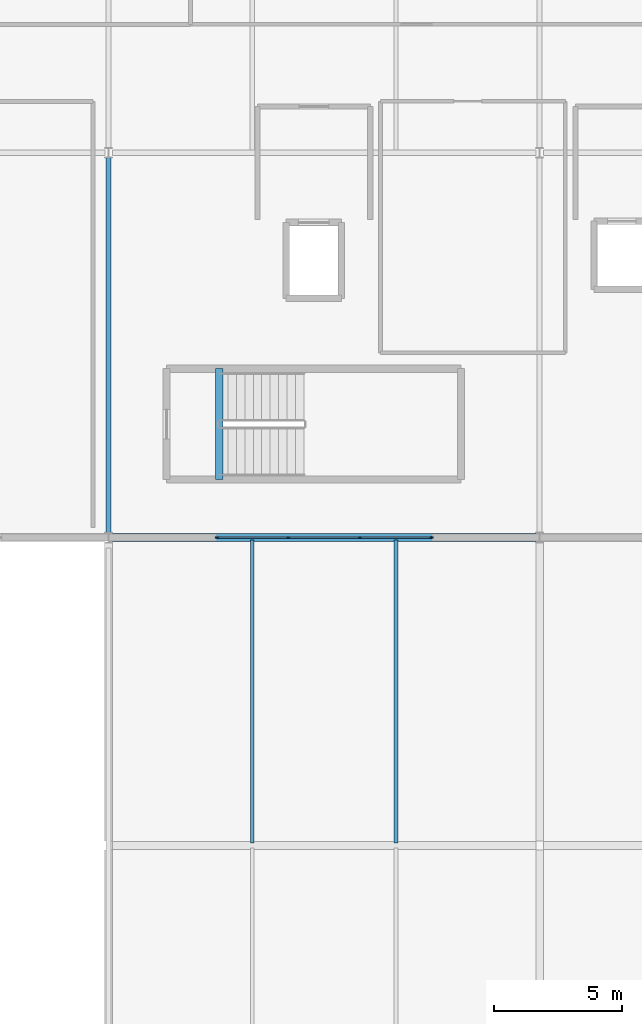
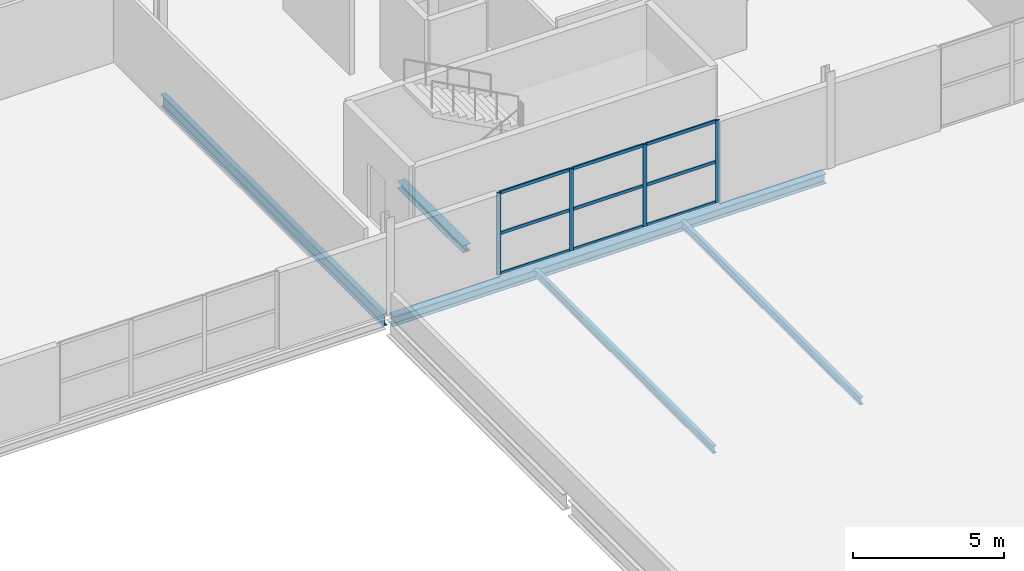
# One storey, part 8 of 36: 13 members, 5 beams, 1 element without a shape of its own.
"""IFC4 building model written with IfcOpenShell, lengths in metres."""

from ifc_helpers import new_model, si_unit, direction, frame, origin, origin_2d, place, context, subcontext, project, spatial, rectangle, i_section, extrude, material, material_profile, profile_set, type_object, element, aggregate, save


model = new_model("IFC4")

# Units and contexts
model_context = context("Model", 3, precision=1e-05, world=origin(), true_north=direction((0.0, 1.0)))
body_context = subcontext(model_context, "Body", "Model", "MODEL_VIEW")
ifc_project = project(units=[si_unit("LENGTHUNIT", "METRE"), si_unit("AREAUNIT", "SQUARE_METRE"), si_unit("VOLUMEUNIT", "CUBIC_METRE"), si_unit("PLANEANGLEUNIT", "RADIAN"), si_unit("MASSUNIT", "GRAM", prefix="KILO")], contexts=[model_context])

# Site, building, storey
site_placement = place(None, origin())
site = spatial("IfcSite", under=ifc_project, at=site_placement, CompositionType="ELEMENT")
building_placement = place(site_placement, origin())
building = spatial("IfcBuilding", under=site, at=building_placement, Name="Kimbaza Rail Terminus", CompositionType="ELEMENT")
storey_placement = place(building_placement, frame((0.0, 0.0, 21.0)))
storey = spatial("IfcBuildingStorey", under=building, at=storey_placement, Name="L04", CompositionType="ELEMENT", Elevation=21.0)

# Curtain wall, members
ifc_material_1 = material(Name="Anodised aluminium framing and solar low-E glazing", Category="aluminium")
curtain_wall_type = type_object("IfcCurtainWallType", Name="ARC-CW-OP2", PredefinedType="USERDEFINED", material=ifc_material_1)
curtain_wall_placement = place(storey_placement, origin())
curtain_wall = element("IfcCurtainWall", 1, at=curtain_wall_placement, inside=storey, type_object=curtain_wall_type, Name="Operations South Curtain Wall L04 Bay 2", ObjectType="STICK CURTAIN WALL", PredefinedType="USERDEFINED")
ifc_material_2 = material(Name="Anodised architectural aluminium", Category="aluminium")
ifc_material_profile_1 = material_profile(ifc_material_2, rectangle(XDim=0.05810546875, YDim=0.14990234375, at=origin_2d()), Name="MULLION 58x150")
ifc_profile_set_1 = profile_set([ifc_material_profile_1], Name="Anodised architectural aluminium")
member_type_1 = type_object("IfcMemberType", Name="ARC-CWM-06", PredefinedType="MULLION", material=ifc_profile_set_1)
member_1_placement = place(storey_placement, frame((76.22900390625, 103.0, 0.0), z_axis=(0.0, 0.0, 1.0), x_axis=(0.0, 1.0, 0.0)))
member_1 = element("IfcMember", 2, at=member_1_placement, type_object=member_type_1, Name="CW-06 mullion 1", PredefinedType="MULLION", context=body_context, shape_type="SweptSolid", body=[
    extrude(rectangle(XDim=0.05810546875, YDim=0.14990234375, at=origin_2d()), origin(), (0.0, 0.0, 1.0), 3.31494140625),
])
member_2_placement = place(storey_placement, frame((79.0, 103.0, 0.0), z_axis=(0.0, 0.0, 1.0), x_axis=(0.0, 1.0, 0.0)))
member_2 = element("IfcMember", 3, at=member_2_placement, type_object=member_type_1, Name="CW-06 mullion 2", PredefinedType="MULLION", context=body_context, shape_type="SweptSolid", body=[
    extrude(rectangle(XDim=0.05810546875, YDim=0.14990234375, at=origin_2d()), origin(), (0.0, 0.0, 1.0), 3.31494140625),
])
member_3_placement = place(storey_placement, frame((81.800048828125, 103.0, 0.0), z_axis=(0.0, 0.0, 1.0), x_axis=(0.0, 1.0, 0.0)))
member_3 = element("IfcMember", 4, at=member_3_placement, type_object=member_type_1, Name="CW-06 mullion 3", PredefinedType="MULLION", context=body_context, shape_type="SweptSolid", body=[
    extrude(rectangle(XDim=0.05810546875, YDim=0.14990234375, at=origin_2d()), origin(), (0.0, 0.0, 1.0), 3.31494140625),
])
member_4_placement = place(storey_placement, frame((84.571044921875, 103.0, 0.0), z_axis=(0.0, 0.0, 1.0), x_axis=(0.0, 1.0, 0.0)))
member_4 = element("IfcMember", 5, at=member_4_placement, type_object=member_type_1, Name="CW-06 mullion 4", PredefinedType="MULLION", context=body_context, shape_type="SweptSolid", body=[
    extrude(rectangle(XDim=0.05810546875, YDim=0.14990234375, at=origin_2d()), origin(), (0.0, 0.0, 1.0), 3.31494140625),
])
ifc_material_3 = material(Name="Anodised architectural aluminium", Category="aluminium")
ifc_material_profile_2 = material_profile(ifc_material_3, rectangle(XDim=0.05810546875, YDim=0.125, at=origin_2d()), Name="TRANSOM 58x125")
ifc_profile_set_2 = profile_set([ifc_material_profile_2], Name="Anodised architectural aluminium")
member_type_2 = type_object("IfcMemberType", Name="ARC-CWT-06", PredefinedType="USERDEFINED", material=ifc_profile_set_2)
member_5_placement = place(storey_placement, frame((76.258056640625, 103.0, 0.029052734375), z_axis=(1.0, 0.0, 0.0), x_axis=(0.0, 1.0, 0.0)))
member_5 = element("IfcMember", 6, at=member_5_placement, type_object=member_type_2, Name="CW-06 transom 1.1", ObjectType="TRANSOM", PredefinedType="USERDEFINED", context=body_context, shape_type="SweptSolid", body=[
    extrude(rectangle(XDim=0.05810546875, YDim=0.125, at=origin_2d()), origin(), (0.0, 0.0, 1.0), 2.712890625),
])
member_6_placement = place(storey_placement, frame((76.258056640625, 103.0, 1.657470703125), z_axis=(1.0, 0.0, 0.0), x_axis=(0.0, 1.0, 0.0)))
member_6 = element("IfcMember", 7, at=member_6_placement, type_object=member_type_2, Name="CW-06 transom 1.2", ObjectType="TRANSOM", PredefinedType="USERDEFINED", context=body_context, shape_type="SweptSolid", body=[
    extrude(rectangle(XDim=0.05810546875, YDim=0.125, at=origin_2d()), origin(), (0.0, 0.0, 1.0), 2.712890625),
])
member_7_placement = place(storey_placement, frame((76.258056640625, 103.0, 3.285888671875), z_axis=(1.0, 0.0, 0.0), x_axis=(0.0, 1.0, 0.0)))
member_7 = element("IfcMember", 8, at=member_7_placement, type_object=member_type_2, Name="CW-06 transom 1.3", ObjectType="TRANSOM", PredefinedType="USERDEFINED", context=body_context, shape_type="SweptSolid", body=[
    extrude(rectangle(XDim=0.05810546875, YDim=0.125, at=origin_2d()), origin(), (0.0, 0.0, 1.0), 2.712890625),
])
member_8_placement = place(storey_placement, frame((79.029052734375, 103.0, 0.029052734375), z_axis=(1.0, 0.0, 0.0), x_axis=(0.0, 1.0, 0.0)))
member_8 = element("IfcMember", 9, at=member_8_placement, type_object=member_type_2, Name="CW-06 transom 2.1", ObjectType="TRANSOM", PredefinedType="USERDEFINED", context=body_context, shape_type="SweptSolid", body=[
    extrude(rectangle(XDim=0.05810546875, YDim=0.125, at=origin_2d()), origin(), (0.0, 0.0, 1.0), 2.741943359375),
])
member_9_placement = place(storey_placement, frame((79.029052734375, 103.0, 1.657470703125), z_axis=(1.0, 0.0, 0.0), x_axis=(0.0, 1.0, 0.0)))
member_9 = element("IfcMember", 10, at=member_9_placement, type_object=member_type_2, Name="CW-06 transom 2.2", ObjectType="TRANSOM", PredefinedType="USERDEFINED", context=body_context, shape_type="SweptSolid", body=[
    extrude(rectangle(XDim=0.05810546875, YDim=0.125, at=origin_2d()), origin(), (0.0, 0.0, 1.0), 2.741943359375),
])
member_10_placement = place(storey_placement, frame((79.029052734375, 103.0, 3.285888671875), z_axis=(1.0, 0.0, 0.0), x_axis=(0.0, 1.0, 0.0)))
member_10 = element("IfcMember", 11, at=member_10_placement, type_object=member_type_2, Name="CW-06 transom 2.3", ObjectType="TRANSOM", PredefinedType="USERDEFINED", context=body_context, shape_type="SweptSolid", body=[
    extrude(rectangle(XDim=0.05810546875, YDim=0.125, at=origin_2d()), origin(), (0.0, 0.0, 1.0), 2.741943359375),
])
member_11_placement = place(storey_placement, frame((81.8291015625, 103.0, 0.029052734375), z_axis=(1.0, 0.0, 0.0), x_axis=(0.0, 1.0, 0.0)))
member_11 = element("IfcMember", 12, at=member_11_placement, type_object=member_type_2, Name="CW-06 transom 3.1", ObjectType="TRANSOM", PredefinedType="USERDEFINED", context=body_context, shape_type="SweptSolid", body=[
    extrude(rectangle(XDim=0.05810546875, YDim=0.125, at=origin_2d()), origin(), (0.0, 0.0, 1.0), 2.712890625),
])
member_12_placement = place(storey_placement, frame((81.8291015625, 103.0, 1.657470703125), z_axis=(1.0, 0.0, 0.0), x_axis=(0.0, 1.0, 0.0)))
member_12 = element("IfcMember", 13, at=member_12_placement, type_object=member_type_2, Name="CW-06 transom 3.2", ObjectType="TRANSOM", PredefinedType="USERDEFINED", context=body_context, shape_type="SweptSolid", body=[
    extrude(rectangle(XDim=0.05810546875, YDim=0.125, at=origin_2d()), origin(), (0.0, 0.0, 1.0), 2.712890625),
])
member_13_placement = place(storey_placement, frame((81.8291015625, 103.0, 3.285888671875), z_axis=(1.0, 0.0, 0.0), x_axis=(0.0, 1.0, 0.0)))
member_13 = element("IfcMember", 14, at=member_13_placement, type_object=member_type_2, Name="CW-06 transom 3.3", ObjectType="TRANSOM", PredefinedType="USERDEFINED", context=body_context, shape_type="SweptSolid", body=[
    extrude(rectangle(XDim=0.05810546875, YDim=0.125, at=origin_2d()), origin(), (0.0, 0.0, 1.0), 2.712890625),
])
aggregate(curtain_wall, [member_1, member_2, member_3, member_4, member_5, member_6, member_7, member_8, member_9, member_10, member_11, member_12, member_13])

# Beams
ifc_material_4 = material(Name="Steel S355", Category="steel")
ifc_material_profile_3 = material_profile(ifc_material_4, i_section(OverallWidth=0.300048828125, OverallDepth=0.2900390625, WebThickness=0.008544921875, FlangeThickness=0.013916015625, FilletRadius=0.027099609375, at=origin_2d()), Name="HEA 300")
ifc_profile_set_3 = profile_set([ifc_material_profile_3], Name="Steel S355")
beam_type_1 = type_object("IfcBeamType", Name="STR-BM-HEA300", PredefinedType="SPANDREL", material=ifc_profile_set_3)
beam_1_placement = place(storey_placement, frame((76.320068359375, 105.260009765625, -0.344970703125), z_axis=(0.0, 1.0, 0.0), x_axis=(-1.0, 0.0, 0.0)))
element("IfcBeam", 15, at=beam_1_placement, inside=storey, type_object=beam_type_1, Name="Operations West Exit Stair Landing Trimmer Beam L04", PredefinedType="SPANDREL", context=body_context, shape_type="SweptSolid", body=[
    extrude(i_section(OverallWidth=0.300048828125, OverallDepth=0.2900390625, WebThickness=0.008544921875, FlangeThickness=0.013916015625, FilletRadius=0.027099609375, at=origin_2d()), origin(), (0.0, 0.0, 1.0), 4.320068359375),
])
ifc_material_5 = material(Name="Steel S355", Category="steel")
ifc_material_profile_4 = material_profile(ifc_material_5, i_section(OverallWidth=0.300048828125, OverallDepth=0.389892578125, WebThickness=0.010986328125, FlangeThickness=0.01904296875, FilletRadius=0.027099609375, at=origin_2d()), Name="HEA 400")
ifc_profile_set_4 = profile_set([ifc_material_profile_4], Name="Steel S355")
beam_type_2 = type_object("IfcBeamType", Name="STR-BM-HEA400", PredefinedType="SPANDREL", material=ifc_profile_set_4)
beam_2_placement = place(storey_placement, frame((72.14599609375, 103.0, -0.39501953125), z_axis=(1.0, 0.0, 0.0), x_axis=(0.0, 1.0, 0.0)))
element("IfcBeam", 16, at=beam_2_placement, inside=storey, type_object=beam_type_2, Name="Operations Girder L04 X1-Y0", PredefinedType="SPANDREL", context=body_context, shape_type="SweptSolid", body=[
    extrude(i_section(OverallWidth=0.300048828125, OverallDepth=0.389892578125, WebThickness=0.010986328125, FlangeThickness=0.01904296875, FilletRadius=0.027099609375, at=origin_2d()), origin(), (0.0, 0.0, 1.0), 16.508056640625),
])
ifc_material_6 = material(Name="Steel S355", Category="steel")
ifc_material_profile_5 = material_profile(ifc_material_6, i_section(OverallWidth=0.14990234375, OverallDepth=0.300048828125, WebThickness=0.007080078125, FlangeThickness=0.0107421875, FilletRadius=0.014892578125, at=origin_2d()), Name="IPE 300")
ifc_profile_set_5 = profile_set([ifc_material_profile_5], Name="Steel S355")
beam_type_3 = type_object("IfcBeamType", Name="STR-BM-IPE300", PredefinedType="JOIST", material=ifc_profile_set_5)
for number, where, z_axis, x_axis, name in (
    (17, (77.60009765625, 91.10009765625, -0.324951171875), (0.0, 1.0, 0.0), (-1.0, 0.0, 0.0), "Beam JST-BRGRF-L04-0-1-91"),
    (18, (83.199951171875, 91.10009765625, -0.324951171875), (0.0, 1.0, 0.0), (-1.0, 0.0, 0.0), "Beam JST-BRGRF-L04-0-2-91"),
):
    element("IfcBeam", number, at=place(storey_placement, frame(where, z_axis=z_axis, x_axis=x_axis)), inside=storey, type_object=beam_type_3, Name=name, PredefinedType="JOIST", context=body_context, shape_type="SweptSolid", body=[
        extrude(i_section(OverallWidth=0.14990234375, OverallDepth=0.300048828125, WebThickness=0.007080078125, FlangeThickness=0.0107421875, FilletRadius=0.014892578125, at=origin_2d()), origin(), (0.0, 0.0, 1.0), 11.7998046875),
    ])
ifc_material_7 = material(Name="Steel S355", Category="steel")
ifc_material_profile_6 = material_profile(ifc_material_7, i_section(OverallWidth=0.199951171875, OverallDepth=0.5, WebThickness=0.01025390625, FlangeThickness=0.01611328125, FilletRadius=0.02099609375, at=origin_2d()), Name="IPE 500")
ifc_profile_set_6 = profile_set([ifc_material_profile_6], Name="Steel S355")
beam_type_4 = type_object("IfcBeamType", Name="STR-BM-IPE500", PredefinedType="BEAM", material=ifc_profile_set_6)
beam_3_placement = place(storey_placement, frame((72.0, 103.175048828125, -0.449951171875), z_axis=(0.0, 1.0, 0.0), x_axis=(-1.0, 0.0, 0.0)))
element("IfcBeam", 19, at=beam_3_placement, inside=storey, type_object=beam_type_4, Name="Operations Cross Girder L04 X1-Y0", PredefinedType="BEAM", context=body_context, shape_type="SweptSolid", body=[
    extrude(i_section(OverallWidth=0.199951171875, OverallDepth=0.5, WebThickness=0.01025390625, FlangeThickness=0.01611328125, FilletRadius=0.02099609375, at=origin_2d()), origin(), (0.0, 0.0, 1.0), 14.64990234375),
])

save(model, "model.ifc")
